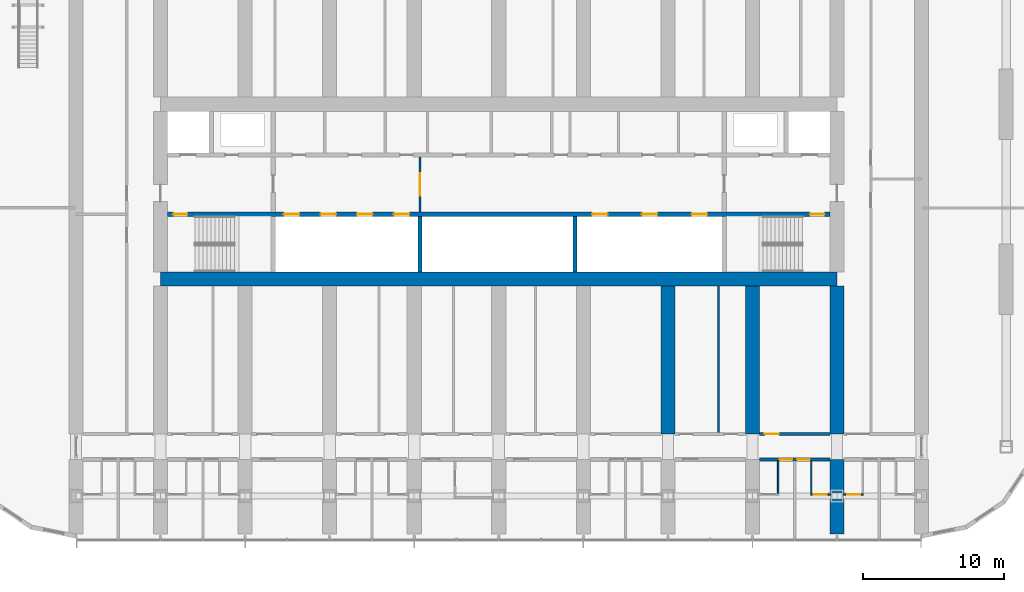
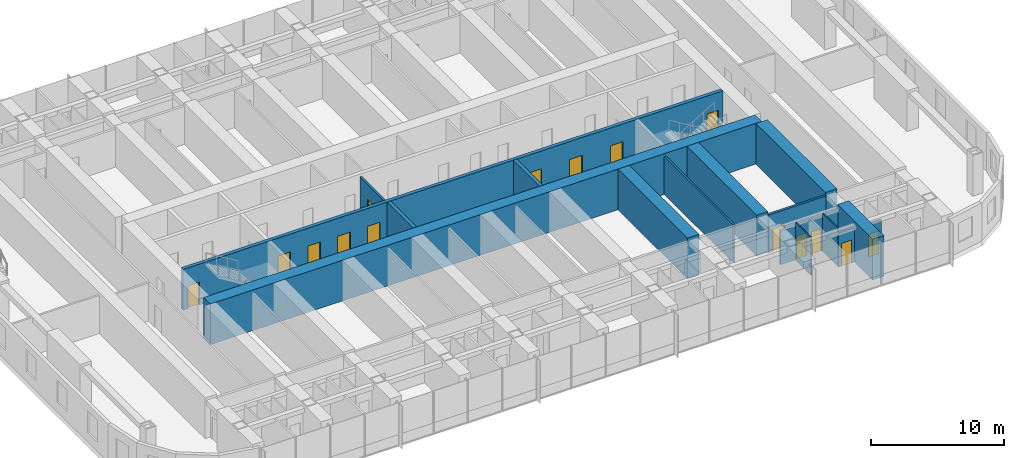
# One storey, part 15 of 28: 16 walls, 15 doors, 15 openings.
"""IFC4 building model written with IfcOpenShell, lengths in metres."""

from ifc_helpers import new_model, si_unit, direction, frame, frame_2d, origin, place, context, subcontext, project, spatial, polyline, rectangle, outline, extrude, material, layer, layer_set, type_object, element, fill, save


model = new_model("IFC4")

# Units and contexts
model_context = context("Model", 3, precision=1e-05, world=origin(), true_north=direction((0.0, 1.0)))
body_context = subcontext(model_context, "Body", "Model", "MODEL_VIEW")
ifc_project = project(units=[si_unit("LENGTHUNIT", "METRE"), si_unit("AREAUNIT", "SQUARE_METRE"), si_unit("VOLUMEUNIT", "CUBIC_METRE"), si_unit("PLANEANGLEUNIT", "RADIAN"), si_unit("MASSUNIT", "GRAM", prefix="KILO")], contexts=[model_context])

# Site, building, storey
site_placement = place(None, origin())
site = spatial("IfcSite", under=ifc_project, at=site_placement, CompositionType="ELEMENT")
building_placement = place(site_placement, origin())
building = spatial("IfcBuilding", under=site, at=building_placement, Name="Orbita Commons", CompositionType="ELEMENT")
storey_placement = place(building_placement, frame((0.0, 0.0, 23.949951171875)))
storey = spatial("IfcBuildingStorey", under=building, at=storey_placement, Name="L05", CompositionType="ELEMENT", Elevation=23.949951171875)

# Wall, openings, doors
ifc_material_1 = material(Name="Concrete C50/60", Category="concrete")
ifc_layer_1 = layer(ifc_material_1, 0.300048828125)
ifc_layer_set_1 = layer_set([ifc_layer_1], Name="Concrete C50/60")
wall_type_1 = type_object("IfcWallType", Name="Core inner wall 300 C50/60", PredefinedType="SHEAR", material=ifc_layer_set_1)
wall_1_placement = place(storey_placement, frame((18.5, 30.39990234375, 0.0), z_axis=(0.0, 0.0, 1.0), x_axis=(1.0, 0.0, 0.0)))
wall_1 = element("IfcWall", 1, at=wall_1_placement, inside=storey, type_object=wall_type_1, Name="Lobby wall south L05", PredefinedType="SHEAR", context=body_context, shape_type="SweptSolid", body=[
    extrude(rectangle(XDim=47.0, YDim=0.300048828125, at=frame_2d((23.5, 0.0))), origin(), (0.0, 0.0, 1.0), 3.75),
])
opening_1_placement = place(wall_1_placement, frame((0.39990234375, 0.0, 0.0)))
opening_1 = element("IfcOpeningElement", 2, at=opening_1_placement, cuts=wall_1, Name="Opening D02", PredefinedType="OPENING", context=body_context, shape_type="SweptSolid", body=[
    extrude(rectangle(XDim=1.0, YDim=2.10009765625, at=frame_2d((0.5, 1.050048828125))), frame((0.0, 0.159912109375, 0.0), z_axis=(0.0, -1.0, 0.0), x_axis=(1.0, 0.0, 0.0)), (0.0, 0.0, 1.0), 0.320068359375),
])
opening_2_placement = place(wall_1_placement, frame((45.60009765625, 0.0, 0.0)))
opening_2 = element("IfcOpeningElement", 3, at=opening_2_placement, cuts=wall_1, Name="Opening D02", PredefinedType="OPENING", context=body_context, shape_type="SweptSolid", body=[
    extrude(rectangle(XDim=1.0, YDim=2.10009765625, at=frame_2d((0.5, 1.050048828125))), frame((0.0, 0.159912109375, 0.0), z_axis=(0.0, -1.0, 0.0), x_axis=(1.0, 0.0, 0.0)), (0.0, 0.0, 1.0), 0.320068359375),
])
opening_3_placement = place(wall_1_placement, frame((8.25, 0.0, 0.0)))
opening_3 = element("IfcOpeningElement", 4, at=opening_3_placement, cuts=wall_1, Name="Opening LD02", PredefinedType="OPENING", context=body_context, shape_type="SweptSolid", body=[
    extrude(rectangle(XDim=1.10009765625, YDim=2.10009765625, at=frame_2d((0.550048828125, 1.050048828125))), frame((0.0, 0.159912109375, 0.0), z_axis=(0.0, -1.0, 0.0), x_axis=(1.0, 0.0, 0.0)), (0.0, 0.0, 1.0), 0.320068359375),
])
opening_4_placement = place(wall_1_placement, frame((10.85009765625, 0.0, 0.0)))
opening_4 = element("IfcOpeningElement", 5, at=opening_4_placement, cuts=wall_1, Name="Opening LD02", PredefinedType="OPENING", context=body_context, shape_type="SweptSolid", body=[
    extrude(rectangle(XDim=1.10009765625, YDim=2.10009765625, at=frame_2d((0.550048828125, 1.050048828125))), frame((0.0, 0.159912109375, 0.0), z_axis=(0.0, -1.0, 0.0), x_axis=(1.0, 0.0, 0.0)), (0.0, 0.0, 1.0), 0.320068359375),
])
opening_5_placement = place(wall_1_placement, frame((13.449951171875, 0.0, 0.0)))
opening_5 = element("IfcOpeningElement", 6, at=opening_5_placement, cuts=wall_1, Name="Opening LD02", PredefinedType="OPENING", context=body_context, shape_type="SweptSolid", body=[
    extrude(rectangle(XDim=1.10009765625, YDim=2.10009765625, at=frame_2d((0.550048828125, 1.050048828125))), frame((0.0, 0.159912109375, 0.0), z_axis=(0.0, -1.0, 0.0), x_axis=(1.0, 0.0, 0.0)), (0.0, 0.0, 1.0), 0.320068359375),
])
opening_6_placement = place(wall_1_placement, frame((16.050048828125, 0.0, 0.0)))
opening_6 = element("IfcOpeningElement", 7, at=opening_6_placement, cuts=wall_1, Name="Opening LD02", PredefinedType="OPENING", context=body_context, shape_type="SweptSolid", body=[
    extrude(rectangle(XDim=1.10009765625, YDim=2.10009765625, at=frame_2d((0.550048828125, 1.050048828125))), frame((0.0, 0.159912109375, 0.0), z_axis=(0.0, -1.0, 0.0), x_axis=(1.0, 0.0, 0.0)), (0.0, 0.0, 1.0), 0.320068359375),
])
opening_7_placement = place(wall_1_placement, frame((30.11669921875, 0.0, 0.0)))
opening_7 = element("IfcOpeningElement", 8, at=opening_7_placement, cuts=wall_1, Name="Opening LD02", PredefinedType="OPENING", context=body_context, shape_type="SweptSolid", body=[
    extrude(rectangle(XDim=1.10009765625, YDim=2.10009765625, at=frame_2d((0.550048828125, 1.050048828125))), frame((0.0, 0.159912109375, 0.0), z_axis=(0.0, -1.0, 0.0), x_axis=(1.0, 0.0, 0.0)), (0.0, 0.0, 1.0), 0.320068359375),
])
opening_8_placement = place(wall_1_placement, frame((33.64990234375, 0.0, 0.0)))
opening_8 = element("IfcOpeningElement", 9, at=opening_8_placement, cuts=wall_1, Name="Opening LD02", PredefinedType="OPENING", context=body_context, shape_type="SweptSolid", body=[
    extrude(rectangle(XDim=1.10009765625, YDim=2.10009765625, at=frame_2d((0.550048828125, 1.050048828125))), frame((0.0, 0.159912109375, 0.0), z_axis=(0.0, -1.0, 0.0), x_axis=(1.0, 0.0, 0.0)), (0.0, 0.0, 1.0), 0.320068359375),
])
opening_9_placement = place(wall_1_placement, frame((37.183349609375, 0.0, 0.0)))
opening_9 = element("IfcOpeningElement", 10, at=opening_9_placement, cuts=wall_1, Name="Opening LD02", PredefinedType="OPENING", context=body_context, shape_type="SweptSolid", body=[
    extrude(rectangle(XDim=1.10009765625, YDim=2.10009765625, at=frame_2d((0.550048828125, 1.050048828125))), frame((0.0, 0.159912109375, 0.0), z_axis=(0.0, -1.0, 0.0), x_axis=(1.0, 0.0, 0.0)), (0.0, 0.0, 1.0), 0.320068359375),
])
ifc_material_2 = material(Name="Steel-faced fire door leaf", Category="steel")
door_type_1 = type_object("IfcDoorType", Name="Fire door 90 min 1000x2100", OperationType="SINGLE_SWING_LEFT", PredefinedType="DOOR", material=ifc_material_2)
door_1_placement = place(opening_1_placement, origin())
door_1 = element("IfcDoor", 11, at=door_1_placement, inside=storey, type_object=door_type_1, Name="Stair S1 door", OperationType="SINGLE_SWING_LEFT", OverallHeight=2.10009765625, OverallWidth=1.0, PredefinedType="DOOR", context=body_context, shape_type="SweptSolid", body=[
    extrude(rectangle(XDim=1.0, YDim=2.10009765625, at=frame_2d((0.5, 1.050048828125))), frame((0.0, 0.02490234375, 0.0), z_axis=(0.0, -1.0, 0.0), x_axis=(1.0, 0.0, 0.0)), (0.0, 0.0, 1.0), 0.050048828125),
])
fill(opening_1, door_1)
door_2_placement = place(opening_2_placement, origin())
door_2 = element("IfcDoor", 12, at=door_2_placement, inside=storey, type_object=door_type_1, Name="Stair S2 door", OperationType="SINGLE_SWING_LEFT", OverallHeight=2.10009765625, OverallWidth=1.0, PredefinedType="DOOR", context=body_context, shape_type="SweptSolid", body=[
    extrude(rectangle(XDim=1.0, YDim=2.10009765625, at=frame_2d((0.5, 1.050048828125))), frame((0.0, 0.02490234375, 0.0), z_axis=(0.0, -1.0, 0.0), x_axis=(1.0, 0.0, 0.0)), (0.0, 0.0, 1.0), 0.050048828125),
])
fill(opening_2, door_2)
ifc_material_3 = material(Name="Steel-faced fire door leaf", Category="steel")
door_type_2 = type_object("IfcDoorType", Name="Lift landing door 1100x2100", OperationType="DOUBLE_DOOR_SLIDING", PredefinedType="DOOR", material=ifc_material_3)
door_3_placement = place(opening_3_placement, origin())
door_3 = element("IfcDoor", 13, at=door_3_placement, inside=storey, type_object=door_type_2, Name="Lift P11 landing door", OperationType="DOUBLE_DOOR_SLIDING", OverallHeight=2.10009765625, OverallWidth=1.10009765625, PredefinedType="DOOR", context=body_context, shape_type="SweptSolid", body=[
    extrude(rectangle(XDim=1.10009765625, YDim=2.10009765625, at=frame_2d((0.550048828125, 1.050048828125))), frame((0.0, 0.02490234375, 0.0), z_axis=(0.0, -1.0, 0.0), x_axis=(1.0, 0.0, 0.0)), (0.0, 0.0, 1.0), 0.050048828125),
])
fill(opening_3, door_3)
door_4_placement = place(opening_4_placement, origin())
door_4 = element("IfcDoor", 14, at=door_4_placement, inside=storey, type_object=door_type_2, Name="Lift P12 landing door", OperationType="DOUBLE_DOOR_SLIDING", OverallHeight=2.10009765625, OverallWidth=1.10009765625, PredefinedType="DOOR", context=body_context, shape_type="SweptSolid", body=[
    extrude(rectangle(XDim=1.10009765625, YDim=2.10009765625, at=frame_2d((0.550048828125, 1.050048828125))), frame((0.0, 0.02490234375, 0.0), z_axis=(0.0, -1.0, 0.0), x_axis=(1.0, 0.0, 0.0)), (0.0, 0.0, 1.0), 0.050048828125),
])
fill(opening_4, door_4)
door_5_placement = place(opening_5_placement, origin())
door_5 = element("IfcDoor", 15, at=door_5_placement, inside=storey, type_object=door_type_2, Name="Lift P13 landing door", OperationType="DOUBLE_DOOR_SLIDING", OverallHeight=2.10009765625, OverallWidth=1.10009765625, PredefinedType="DOOR", context=body_context, shape_type="SweptSolid", body=[
    extrude(rectangle(XDim=1.10009765625, YDim=2.10009765625, at=frame_2d((0.550048828125, 1.050048828125))), frame((0.0, 0.02490234375, 0.0), z_axis=(0.0, -1.0, 0.0), x_axis=(1.0, 0.0, 0.0)), (0.0, 0.0, 1.0), 0.050048828125),
])
fill(opening_5, door_5)
door_6_placement = place(opening_6_placement, origin())
door_6 = element("IfcDoor", 16, at=door_6_placement, inside=storey, type_object=door_type_2, Name="Lift P14 landing door", OperationType="DOUBLE_DOOR_SLIDING", OverallHeight=2.10009765625, OverallWidth=1.10009765625, PredefinedType="DOOR", context=body_context, shape_type="SweptSolid", body=[
    extrude(rectangle(XDim=1.10009765625, YDim=2.10009765625, at=frame_2d((0.550048828125, 1.050048828125))), frame((0.0, 0.02490234375, 0.0), z_axis=(0.0, -1.0, 0.0), x_axis=(1.0, 0.0, 0.0)), (0.0, 0.0, 1.0), 0.050048828125),
])
fill(opening_6, door_6)
door_7_placement = place(opening_7_placement, origin())
door_7 = element("IfcDoor", 17, at=door_7_placement, inside=storey, type_object=door_type_2, Name="Lift SV1 landing door", OperationType="DOUBLE_DOOR_SLIDING", OverallHeight=2.10009765625, OverallWidth=1.10009765625, PredefinedType="DOOR", context=body_context, shape_type="SweptSolid", body=[
    extrude(rectangle(XDim=1.10009765625, YDim=2.10009765625, at=frame_2d((0.550048828125, 1.050048828125))), frame((0.0, 0.02490234375, 0.0), z_axis=(0.0, -1.0, 0.0), x_axis=(1.0, 0.0, 0.0)), (0.0, 0.0, 1.0), 0.050048828125),
])
fill(opening_7, door_7)
door_8_placement = place(opening_8_placement, origin())
door_8 = element("IfcDoor", 18, at=door_8_placement, inside=storey, type_object=door_type_2, Name="Lift SV2 landing door", OperationType="DOUBLE_DOOR_SLIDING", OverallHeight=2.10009765625, OverallWidth=1.10009765625, PredefinedType="DOOR", context=body_context, shape_type="SweptSolid", body=[
    extrude(rectangle(XDim=1.10009765625, YDim=2.10009765625, at=frame_2d((0.550048828125, 1.050048828125))), frame((0.0, 0.02490234375, 0.0), z_axis=(0.0, -1.0, 0.0), x_axis=(1.0, 0.0, 0.0)), (0.0, 0.0, 1.0), 0.050048828125),
])
fill(opening_8, door_8)
door_9_placement = place(opening_9_placement, origin())
door_9 = element("IfcDoor", 19, at=door_9_placement, inside=storey, type_object=door_type_2, Name="Lift SV3 landing door", OperationType="DOUBLE_DOOR_SLIDING", OverallHeight=2.10009765625, OverallWidth=1.10009765625, PredefinedType="DOOR", context=body_context, shape_type="SweptSolid", body=[
    extrude(rectangle(XDim=1.10009765625, YDim=2.10009765625, at=frame_2d((0.550048828125, 1.050048828125))), frame((0.0, 0.02490234375, 0.0), z_axis=(0.0, -1.0, 0.0), x_axis=(1.0, 0.0, 0.0)), (0.0, 0.0, 1.0), 0.050048828125),
])
fill(opening_9, door_9)

# Walls
for number, where, z_axis, x_axis, name in (
    (20, (36.39990234375, 26.300048828125, 0.0), (0.0, 0.0, 1.0), (0.0, 1.0, 0.0), "Hoistway division wall L05"),
    (21, (47.39990234375, 26.300048828125, 0.0), (0.0, 0.0, 1.0), (0.0, 1.0, 0.0), "Hoistway division wall L05"),
):
    element("IfcWall", number, at=place(storey_placement, frame(where, z_axis=z_axis, x_axis=x_axis)), inside=storey, type_object=wall_type_1, Name=name, PredefinedType="SHEAR", context=body_context, shape_type="SweptSolid", body=[
        extrude(rectangle(XDim=3.949951171875, YDim=0.300048828125, at=frame_2d((1.97509765625, 0.0))), origin(), (0.0, 0.0, 1.0), 3.75),
    ])

# Wall, opening, door
ifc_material_4 = material(Name="Concrete blockwork", Category="masonry")
ifc_layer_2 = layer(ifc_material_4, 0.14990234375)
ifc_layer_set_2 = layer_set([ifc_layer_2], Name="Concrete blockwork")
wall_type_2 = type_object("IfcWallType", Name="Core partition 150 blockwork", PredefinedType="SOLIDWALL", material=ifc_layer_set_2)
wall_2_placement = place(storey_placement, frame((36.39990234375, 30.550048828125, 0.0), z_axis=(0.0, 0.0, 1.0), x_axis=(0.0, 1.0, 0.0)))
wall_2 = element("IfcWall", 22, at=wall_2_placement, inside=storey, type_object=wall_type_2, Name="Core partition 150 blockwork L05", PredefinedType="SOLIDWALL", context=body_context, shape_type="SweptSolid", body=[
    extrude(rectangle(XDim=3.89990234375, YDim=0.14990234375, at=frame_2d((1.949951171875, 0.0))), origin(), (0.0, 0.0, 1.0), 3.5),
])
opening_10_placement = place(wall_2_placement, frame((1.14990234375, 0.0, 0.0)))
opening_10 = element("IfcOpeningElement", 23, at=opening_10_placement, cuts=wall_2, Name="Opening D10", PredefinedType="OPENING", context=body_context, shape_type="SweptSolid", body=[
    extrude(rectangle(XDim=1.60009765625, YDim=2.10009765625, at=frame_2d((0.800048828125, 1.050048828125))), frame((0.0, 0.0849609375, 0.0), z_axis=(0.0, -1.0, 0.0), x_axis=(1.0, 0.0, 0.0)), (0.0, 0.0, 1.0), 0.169921875),
])
ifc_material_5 = material(Name="Steel-faced fire door leaf", Category="steel")
door_type_3 = type_object("IfcDoorType", Name="Double corridor door 20 min 1600x2100", OperationType="DOUBLE_DOOR_SINGLE_SWING", PredefinedType="DOOR", material=ifc_material_5)
door_10_placement = place(opening_10_placement, origin())
door_10 = element("IfcDoor", 24, at=door_10_placement, inside=storey, type_object=door_type_3, Name="Lift lobby screen doors", OperationType="DOUBLE_DOOR_SINGLE_SWING", OverallHeight=2.10009765625, OverallWidth=1.60009765625, PredefinedType="DOOR", context=body_context, shape_type="SweptSolid", body=[
    extrude(rectangle(XDim=1.60009765625, YDim=2.10009765625, at=frame_2d((0.800048828125, 1.050048828125))), frame((0.0, 0.02490234375, 0.0), z_axis=(0.0, -1.0, 0.0), x_axis=(1.0, 0.0, 0.0)), (0.0, 0.0, 1.0), 0.050048828125),
])
fill(opening_10, door_10)

# Wall
ifc_material_6 = material(Name="Concrete C50/60", Category="concrete")
ifc_layer_3 = layer(ifc_material_6, 1.0)
ifc_layer_set_3 = layer_set([ifc_layer_3], Name="Concrete C50/60")
wall_type_3 = type_object("IfcWallType", Name="Core wall 1000 C50/60", PredefinedType="SHEAR", material=ifc_layer_set_3)
wall_3_placement = place(storey_placement, frame((18.0, 25.800048828125, 0.0), z_axis=(0.0, 0.0, 1.0), x_axis=(1.0, 0.0, 0.0)))
element("IfcWall", 25, at=wall_3_placement, inside=storey, type_object=wall_type_3, Name="Core spine wall south L05", PredefinedType="SHEAR", context=body_context, shape_type="SweptSolid", body=[
    extrude(rectangle(XDim=48.0, YDim=1.0, at=frame_2d((24.0, 0.0))), origin(), (0.0, 0.0, 1.0), 3.75),
])

# Wall, openings, doors
ifc_material_7 = material(Name="Concrete blockwork", Category="masonry")
ifc_layer_4 = layer(ifc_material_7, 0.199951171875)
ifc_layer_set_4 = layer_set([ifc_layer_4], Name="Concrete blockwork")
wall_type_4 = type_object("IfcWallType", Name="Corridor wall 200 blockwork", PredefinedType="SOLIDWALL", material=ifc_layer_set_4)
wall_4_placement = place(storey_placement, frame((60.5, 13.0, 0.0), z_axis=(0.0, 0.0, 1.0), x_axis=(1.0, 0.0, 0.0)))
wall_4 = element("IfcWall", 26, at=wall_4_placement, inside=storey, type_object=wall_type_4, Name="Corridor wall 200 blockwork L05", PredefinedType="SOLIDWALL", context=body_context, shape_type="SweptSolid", body=[
    extrude(outline(polyline([(0.0, 0.0), (5.0, 0.0), (5.0, 3.10009765625), (0.0, 3.10009765625), (0.0, 0.0)])), frame((0.0, 0.10009765625, 0.0), z_axis=(0.0, -1.0, 0.0), x_axis=(1.0, 0.0, 0.0)), (0.0, 0.0, 1.0), 0.199951171875),
])
opening_11_placement = place(wall_4_placement, frame((1.425048828125, 0.0, 0.0)))
opening_11 = element("IfcOpeningElement", 27, at=opening_11_placement, cuts=wall_4, Name="Opening D11", PredefinedType="OPENING", context=body_context, shape_type="SweptSolid", body=[
    extrude(rectangle(XDim=0.89990234375, YDim=2.10009765625, at=frame_2d((0.449951171875, 1.050048828125))), frame((0.0, 0.10986328125, 0.0), z_axis=(0.0, -1.0, 0.0), x_axis=(1.0, 0.0, 0.0)), (0.0, 0.0, 1.0), 0.219970703125),
])
opening_12_placement = place(wall_4_placement, frame((2.675048828125, 0.0, 0.0)))
opening_12 = element("IfcOpeningElement", 28, at=opening_12_placement, cuts=wall_4, Name="Opening D11", PredefinedType="OPENING", context=body_context, shape_type="SweptSolid", body=[
    extrude(rectangle(XDim=0.89990234375, YDim=2.10009765625, at=frame_2d((0.449951171875, 1.050048828125))), frame((0.0, 0.10986328125, 0.0), z_axis=(0.0, -1.0, 0.0), x_axis=(1.0, 0.0, 0.0)), (0.0, 0.0, 1.0), 0.219970703125),
])
ifc_material_8 = material(Name="Steel-faced fire door leaf", Category="steel")
door_type_4 = type_object("IfcDoorType", Name="Corridor door 20 min 900x2100", OperationType="SINGLE_SWING_LEFT", PredefinedType="DOOR", material=ifc_material_8)
door_11_placement = place(opening_11_placement, origin())
door_11 = element("IfcDoor", 29, at=door_11_placement, inside=storey, type_object=door_type_4, Name="House bedroom L05-S16 door", OperationType="SINGLE_SWING_LEFT", OverallHeight=2.10009765625, OverallWidth=0.89990234375, PredefinedType="DOOR", context=body_context, shape_type="SweptSolid", body=[
    extrude(rectangle(XDim=0.89990234375, YDim=2.10009765625, at=frame_2d((0.449951171875, 1.050048828125))), frame((0.0, 0.02490234375, 0.0), z_axis=(0.0, -1.0, 0.0), x_axis=(1.0, 0.0, 0.0)), (0.0, 0.0, 1.0), 0.050048828125),
])
fill(opening_11, door_11)
door_12_placement = place(opening_12_placement, origin())
door_12 = element("IfcDoor", 30, at=door_12_placement, inside=storey, type_object=door_type_4, Name="House bedroom L05-S17 door", OperationType="SINGLE_SWING_LEFT", OverallHeight=2.10009765625, OverallWidth=0.89990234375, PredefinedType="DOOR", context=body_context, shape_type="SweptSolid", body=[
    extrude(rectangle(XDim=0.89990234375, YDim=2.10009765625, at=frame_2d((0.449951171875, 1.050048828125))), frame((0.0, 0.02490234375, 0.0), z_axis=(0.0, -1.0, 0.0), x_axis=(1.0, 0.0, 0.0)), (0.0, 0.0, 1.0), 0.050048828125),
])
fill(opening_12, door_12)

# Wall, opening, door
ifc_material_9 = material(Name="Hollow concrete block 200", Category="concrete")
ifc_layer_5 = layer(ifc_material_9, 0.199951171875)
ifc_layer_set_5 = layer_set([ifc_layer_5], Name="Hollow concrete block 200")
wall_type_5 = type_object("IfcWallType", Name="Corridor wall 200 hollow concrete block", PredefinedType="SOLIDWALL", material=ifc_layer_set_5)
wall_5_placement = place(storey_placement, frame((60.5, 14.800048828125, 0.0), z_axis=(0.0, 0.0, 1.0), x_axis=(1.0, 0.0, 0.0)))
wall_5 = element("IfcWall", 31, at=wall_5_placement, inside=storey, type_object=wall_type_5, Name="Corridor wall 200 hollow concrete block L05", PredefinedType="SOLIDWALL", context=body_context, shape_type="SweptSolid", body=[
    extrude(rectangle(XDim=5.0, YDim=0.199951171875, at=frame_2d((2.5, 0.0))), origin(), (0.0, 0.0, 1.0), 3.5),
])
opening_13_placement = place(wall_5_placement, frame((0.375, 0.0, 0.0)))
opening_13 = element("IfcOpeningElement", 32, at=opening_13_placement, cuts=wall_5, Name="Opening D06", PredefinedType="OPENING", context=body_context, shape_type="SweptSolid", body=[
    extrude(rectangle(XDim=1.0, YDim=2.10009765625, at=frame_2d((0.5, 1.050048828125))), frame((0.0, 0.10986328125, 0.0), z_axis=(0.0, -1.0, 0.0), x_axis=(1.0, 0.0, 0.0)), (0.0, 0.0, 1.0), 0.219970703125),
])
ifc_material_10 = material(Name="Steel-faced fire door leaf", Category="steel")
door_type_5 = type_object("IfcDoorType", Name="Corridor door 20 min 1000x2100", OperationType="SINGLE_SWING_LEFT", PredefinedType="DOOR", material=ifc_material_10)
door_13_placement = place(opening_13_placement, origin())
door_13 = element("IfcDoor", 33, at=door_13_placement, inside=storey, type_object=door_type_5, Name="Pantry L05-BDS60 door", OperationType="SINGLE_SWING_LEFT", OverallHeight=2.10009765625, OverallWidth=1.0, PredefinedType="DOOR", context=body_context, shape_type="SweptSolid", body=[
    extrude(rectangle(XDim=1.0, YDim=2.10009765625, at=frame_2d((0.5, 1.050048828125))), frame((0.0, 0.02490234375, 0.0), z_axis=(0.0, -1.0, 0.0), x_axis=(1.0, 0.0, 0.0)), (0.0, 0.0, 1.0), 0.050048828125),
])
fill(opening_13, door_13)

# Walls
ifc_material_11 = material(Name="Concrete C50/60", Category="concrete")
ifc_layer_6 = layer(ifc_material_11, 1.0)
ifc_layer_set_6 = layer_set([ifc_layer_6], Name="Concrete C50/60")
wall_type_6 = type_object("IfcWallType", Name="Cross wall 1000 C50/60", PredefinedType="SHEAR", material=ifc_layer_set_6)
for number, where, z_axis, x_axis, name in (
    (34, (54.0, 14.800048828125, 0.0), (0.0, 0.0, 1.0), (0.0, 1.0, 0.0), "Cross wall 10 south inner L05"),
    (35, (60.0, 14.800048828125, 0.0), (0.0, 0.0, 1.0), (0.0, 1.0, 0.0), "Cross wall 11 south inner L05"),
):
    element("IfcWall", number, at=place(storey_placement, frame(where, z_axis=z_axis, x_axis=x_axis)), inside=storey, type_object=wall_type_6, Name=name, PredefinedType="SHEAR", context=body_context, shape_type="SweptSolid", body=[
        extrude(rectangle(XDim=10.5, YDim=1.0, at=frame_2d((5.25, 0.0))), origin(), (0.0, 0.0, 1.0), 3.75),
    ])
wall_6_placement = place(storey_placement, frame((66.0, 7.699951171875, 0.0), z_axis=(0.0, 0.0, 1.0), x_axis=(0.0, 1.0, 0.0)))
element("IfcWall", 36, at=wall_6_placement, inside=storey, type_object=wall_type_6, Name="Cross wall 12 south outer L05", PredefinedType="SHEAR", context=body_context, shape_type="SweptSolid", body=[
    extrude(rectangle(XDim=5.300048828125, YDim=1.0, at=frame_2d((2.64990234375, 0.0))), origin(), (0.0, 0.0, 1.0), 3.75),
])
wall_7_placement = place(storey_placement, frame((66.0, 14.800048828125, 0.0), z_axis=(0.0, 0.0, 1.0), x_axis=(0.0, 1.0, 0.0)))
element("IfcWall", 37, at=wall_7_placement, inside=storey, type_object=wall_type_6, Name="Cross wall 12 south inner L05", PredefinedType="SHEAR", context=body_context, shape_type="SweptSolid", body=[
    extrude(rectangle(XDim=10.5, YDim=1.0, at=frame_2d((5.25, 0.0))), origin(), (0.0, 0.0, 1.0), 3.75),
])
ifc_material_12 = material(Name="Moisture-resistant plasterboard on steel studs", Category="steel")
ifc_layer_7 = layer(ifc_material_12, 0.10009765625)
ifc_layer_set_7 = layer_set([ifc_layer_7], Name="Moisture-resistant plasterboard on steel studs")
wall_type_7 = type_object("IfcWallType", Name="En-suite partition 100", PredefinedType="PARTITIONING", material=ifc_layer_set_7)
wall_8_placement = place(storey_placement, frame((61.824951171875, 10.550048828125, 0.0), z_axis=(0.0, 0.0, 1.0), x_axis=(0.0, 1.0, 0.0)))
element("IfcWall", 38, at=wall_8_placement, inside=storey, type_object=wall_type_7, Name="En-suite partition 100 L05", PredefinedType="PARTITIONING", context=body_context, shape_type="SweptSolid", body=[
    extrude(outline(polyline([(0.0, 0.0), (2.349853515625, 0.0), (2.35009765625, 3.10009765625), (2.302001953125, 3.10009765625), (2.300048828125, 3.5), (0.052001953125, 3.5), (0.050048828125, 3.10009765625), (0.0, 3.10009765625), (0.0, 0.0)])), frame((0.0, 0.050048828125, 0.0), z_axis=(0.0, -1.0, 0.0), x_axis=(1.0, 0.0, 0.0)), (0.0, 0.0, 1.0), 0.10009765625),
])

# Wall, opening, door
wall_9_placement = place(storey_placement, frame((65.550048828125, 10.5, 0.0), z_axis=(0.0, 0.0, 1.0), x_axis=(-1.0, 0.0, 0.0)))
wall_9 = element("IfcWall", 39, at=wall_9_placement, inside=storey, type_object=wall_type_7, Name="En-suite partition 100 L05", PredefinedType="PARTITIONING", context=body_context, shape_type="SweptSolid", body=[
    extrude(outline(polyline([(0.0, 0.0), (1.425048828125, 0.0), (1.425048828125, 3.10009765625), (0.0, 3.10009765625), (0.0, 0.0)])), frame((0.0, 0.050048828125, 0.0), z_axis=(0.0, -1.0, 0.0), x_axis=(1.0, 0.0, 0.0)), (0.0, 0.0, 1.0), 0.10009765625),
])
opening_14_placement = place(wall_9_placement, frame((0.28759765625, 0.0, 0.0)))
opening_14 = element("IfcOpeningElement", 40, at=opening_14_placement, cuts=wall_9, Name="Opening D09", PredefinedType="OPENING", context=body_context, shape_type="SweptSolid", body=[
    extrude(rectangle(XDim=0.89990234375, YDim=2.10009765625, at=frame_2d((0.449951171875, 1.050048828125))), frame((0.0, 0.06005859375, 0.0), z_axis=(0.0, -1.0, 0.0), x_axis=(1.0, 0.0, 0.0)), (0.0, 0.0, 1.0), 0.1201171875),
])
ifc_material_13 = material(Name="Laminated timber door leaf", Category="wood")
door_type_6 = type_object("IfcDoorType", Name="En-suite door 900x2100", OperationType="SINGLE_SWING_RIGHT", PredefinedType="DOOR", material=ifc_material_13)
door_14_placement = place(opening_14_placement, origin())
door_14 = element("IfcDoor", 41, at=door_14_placement, inside=storey, type_object=door_type_6, Name="En-suite L05-S17 door", OperationType="SINGLE_SWING_RIGHT", OverallHeight=2.10009765625, OverallWidth=0.89990234375, PredefinedType="DOOR", context=body_context, shape_type="SweptSolid", body=[
    extrude(rectangle(XDim=0.89990234375, YDim=2.10009765625, at=frame_2d((0.449951171875, 1.050048828125))), frame((0.0, 0.02490234375, 0.0), z_axis=(0.0, -1.0, 0.0), x_axis=(1.0, 0.0, 0.0)), (0.0, 0.0, 1.0), 0.050048828125),
])
fill(opening_14, door_14)

# Wall
wall_10_placement = place(storey_placement, frame((64.175048828125, 10.550048828125, 0.0), z_axis=(0.0, 0.0, 1.0), x_axis=(0.0, 1.0, 0.0)))
element("IfcWall", 42, at=wall_10_placement, inside=storey, type_object=wall_type_7, Name="En-suite partition 100 L05", PredefinedType="PARTITIONING", context=body_context, shape_type="SweptSolid", body=[
    extrude(outline(polyline([(0.0, 0.0), (2.349853515625, 0.0), (2.35009765625, 3.10009765625), (2.302001953125, 3.10009765625), (2.300048828125, 3.5), (0.052001953125, 3.5), (0.050048828125, 3.10009765625), (0.0, 3.10009765625), (0.0, 0.0)])), frame((0.0, 0.050048828125, 0.0), z_axis=(0.0, -1.0, 0.0), x_axis=(1.0, 0.0, 0.0)), (0.0, 0.0, 1.0), 0.10009765625),
])

# Wall, opening, door
wall_11_placement = place(storey_placement, frame((67.875, 10.5, 0.0), z_axis=(0.0, 0.0, 1.0), x_axis=(-1.0, 0.0, 0.0)))
wall_11 = element("IfcWall", 43, at=wall_11_placement, inside=storey, type_object=wall_type_7, Name="En-suite partition 100 L05", PredefinedType="PARTITIONING", context=body_context, shape_type="SweptSolid", body=[
    extrude(outline(polyline([(0.0, 0.0), (1.425048828125, 0.0), (1.425048828125, 3.10009765625), (0.0, 3.10009765625), (0.0, 0.0)])), frame((0.0, 0.050048828125, 0.0), z_axis=(0.0, -1.0, 0.0), x_axis=(1.0, 0.0, 0.0)), (0.0, 0.0, 1.0), 0.10009765625),
])
opening_15_placement = place(wall_11_placement, frame((0.237548828125, 0.0, 0.0)))
opening_15 = element("IfcOpeningElement", 44, at=opening_15_placement, cuts=wall_11, Name="Opening D09", PredefinedType="OPENING", context=body_context, shape_type="SweptSolid", body=[
    extrude(rectangle(XDim=0.89990234375, YDim=2.10009765625, at=frame_2d((0.449951171875, 1.050048828125))), frame((0.0, 0.06005859375, 0.0), z_axis=(0.0, -1.0, 0.0), x_axis=(1.0, 0.0, 0.0)), (0.0, 0.0, 1.0), 0.1201171875),
])
door_15_placement = place(opening_15_placement, origin())
door_15 = element("IfcDoor", 45, at=door_15_placement, inside=storey, type_object=door_type_6, Name="En-suite L05-S18 door", OperationType="SINGLE_SWING_RIGHT", OverallHeight=2.10009765625, OverallWidth=0.89990234375, PredefinedType="DOOR", context=body_context, shape_type="SweptSolid", body=[
    extrude(rectangle(XDim=0.89990234375, YDim=2.10009765625, at=frame_2d((0.449951171875, 1.050048828125))), frame((0.0, 0.02490234375, 0.0), z_axis=(0.0, -1.0, 0.0), x_axis=(1.0, 0.0, 0.0)), (0.0, 0.0, 1.0), 0.050048828125),
])
fill(opening_15, door_15)

# Wall
ifc_material_14 = material(Name="Gypsum plasterboard on steel studs", Category="steel")
ifc_layer_8 = layer(ifc_material_14, 0.14990234375)
ifc_layer_set_8 = layer_set([ifc_layer_8], Name="Gypsum plasterboard on steel studs")
wall_type_8 = type_object("IfcWallType", Name="Partition 150 plasterboard", PredefinedType="PARTITIONING", material=ifc_layer_set_8)
wall_12_placement = place(storey_placement, frame((57.60009765625, 14.89990234375, 0.0), z_axis=(0.0, 0.0, 1.0), x_axis=(0.0, 1.0, 0.0)))
element("IfcWall", 46, at=wall_12_placement, inside=storey, type_object=wall_type_8, Name="Partition 150 plasterboard L05", PredefinedType="PARTITIONING", context=body_context, shape_type="SweptSolid", body=[
    extrude(rectangle(XDim=10.400146484375, YDim=0.14990234375, at=frame_2d((5.2001953125, 0.0))), origin(), (0.0, 0.0, 1.0), 3.5),
])

save(model, "model.ifc")
